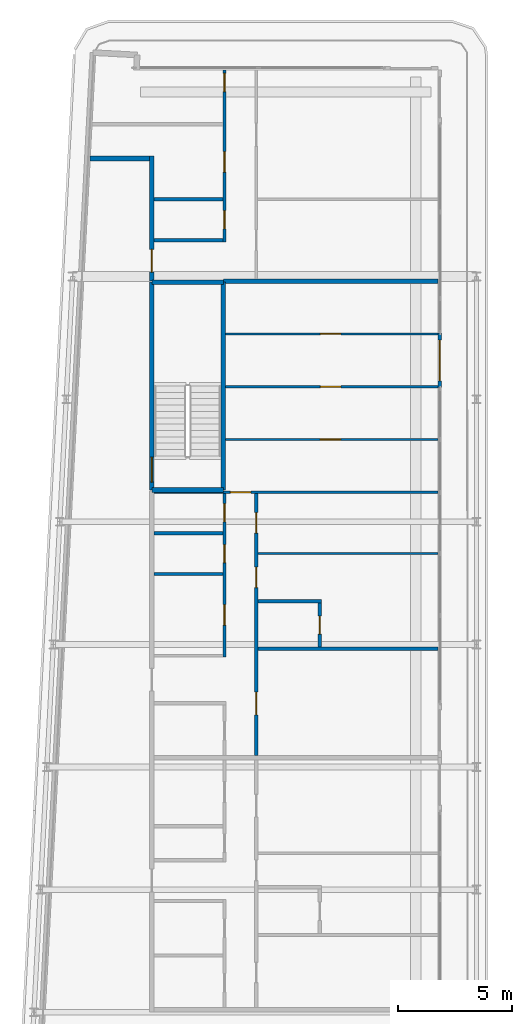
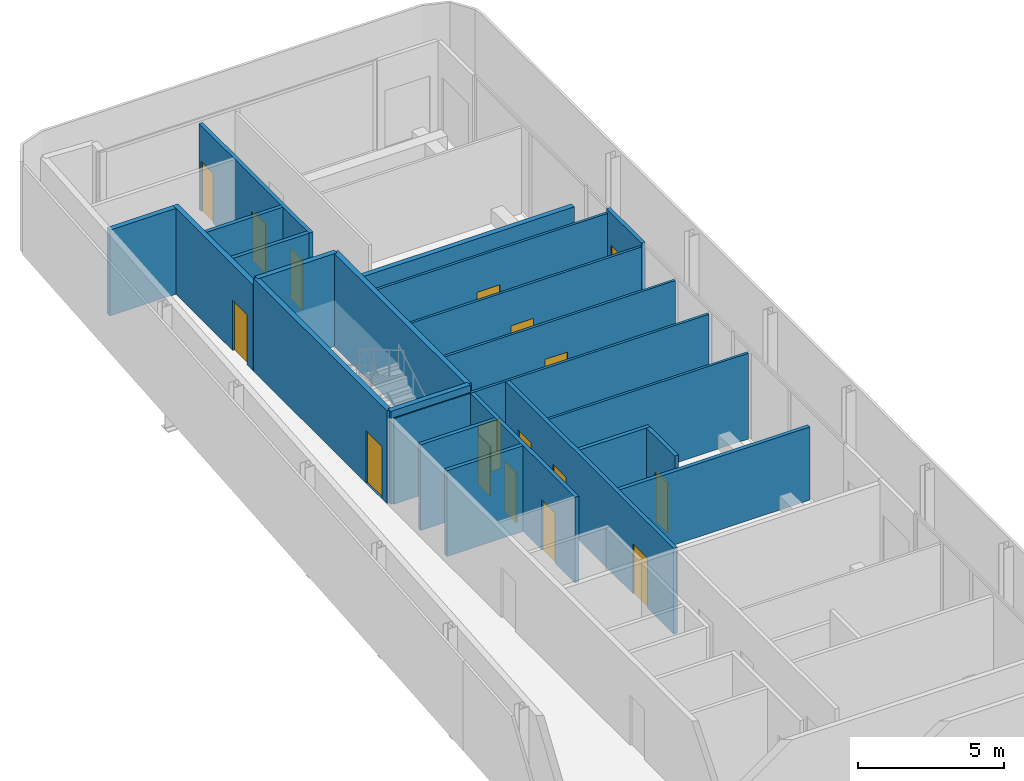
# One storey, part 11 of 18: 23 walls, 17 doors, 17 openings.
"""IFC4 building model written with IfcOpenShell, lengths in metres."""

from ifc_helpers import new_model, si_unit, direction, frame, frame_2d, origin, place, context, subcontext, project, spatial, rectangle, extrude, source, transform, mapped, material, layer, layer_set, type_object, element, fill, save


model = new_model("IFC4")

# Units and contexts
model_context = context("Model", 3, precision=1e-05, world=origin(), true_north=direction((0.0, 1.0)))
body_context = subcontext(model_context, "Body", "Model", "MODEL_VIEW")
ifc_project = project(units=[si_unit("LENGTHUNIT", "METRE"), si_unit("AREAUNIT", "SQUARE_METRE"), si_unit("VOLUMEUNIT", "CUBIC_METRE"), si_unit("PLANEANGLEUNIT", "RADIAN"), si_unit("MASSUNIT", "GRAM", prefix="KILO")], contexts=[model_context])

# Site, building, storey
site_placement = place(None, origin())
site = spatial("IfcSite", under=ifc_project, at=site_placement, CompositionType="ELEMENT")
building_placement = place(site_placement, origin())
building = spatial("IfcBuilding", under=site, at=building_placement, Name="Kheshtan School and Residences Tower", CompositionType="ELEMENT")
storey_placement = place(building_placement, frame((0.0, 0.0, 373.39990234375)))
storey = spatial("IfcBuildingStorey", under=building, at=storey_placement, Name="L88", CompositionType="ELEMENT", Elevation=373.39990234375)

# Wall
ifc_material_1 = material(Name="Gypsum board on steel studs with fire boards", Category="steel")
ifc_layer_1 = layer(ifc_material_1, 0.199951171875)
ifc_layer_set_1 = layer_set([ifc_layer_1], Name="Corridor wall 200")
wall_type_1 = type_object("IfcWallType", Name="Corridor wall 200", PredefinedType="PARTITIONING", material=ifc_layer_set_1)
wall_1_placement = place(storey_placement, frame((30.584716796875, 94.0, 0.0), z_axis=(0.0, 0.0, 1.0), x_axis=(1.0, 0.0, 0.0)))
element("IfcWall", 1, at=wall_1_placement, inside=storey, type_object=wall_type_1, Name="Partition L88-002", PredefinedType="PARTITIONING", context=body_context, shape_type="SweptSolid", body=[
    extrude(rectangle(XDim=2.615234375, YDim=0.199951171875, at=frame_2d((1.3076171875, 0.0))), origin(), (0.0, 0.0, 1.0), 3.60009765625),
])

# Wall, opening, door
wall_2_placement = place(storey_placement, frame((33.300048828125, 88.60009765625, 0.0), z_axis=(0.0, 0.0, 1.0), x_axis=(0.0, 1.0, 0.0)))
wall_2 = element("IfcWall", 2, at=wall_2_placement, inside=storey, type_object=wall_type_1, Name="Partition L88-004", PredefinedType="PARTITIONING", context=body_context, shape_type="SweptSolid", body=[
    extrude(rectangle(XDim=5.5, YDim=0.199951171875, at=frame_2d((2.75, 0.0))), origin(), (0.0, 0.0, 1.0), 3.60009765625),
])
opening_1_placement = place(wall_2_placement, frame((0.39990234375, 0.0, 0.0)))
opening_1 = element("IfcOpeningElement", 3, at=opening_1_placement, cuts=wall_2, Name="Opening D87-025", PredefinedType="OPENING", context=body_context, shape_type="SweptSolid", body=[
    extrude(rectangle(XDim=1.0, YDim=2.10009765625, at=frame_2d((0.5, 1.050048828125))), frame((0.0, 0.10986328125, 0.0), z_axis=(0.0, -1.0, 0.0), x_axis=(1.0, 0.0, 0.0)), (0.0, 0.0, 1.0), 0.219970703125),
])
ifc_material_2 = material(Name="Steel-framed fire-resisting door leaf", Category="steel")
door_type_1 = type_object("IfcDoorType", Name="Fire door FD30S 1000 x 2100", OperationType="SINGLE_SWING_LEFT", PredefinedType="DOOR", material=ifc_material_2)
shared_shape_1 = source(origin(), body_context, "Body", "SweptSolid", [
    extrude(rectangle(XDim=1.0, YDim=2.10009765625, at=frame_2d((0.5, 1.050048828125))), frame((0.0, 0.02490234375, 0.0), z_axis=(0.0, -1.0, 0.0), x_axis=(1.0, 0.0, 0.0)), (0.0, 0.0, 1.0), 0.050048828125),
])
door_1_placement = place(opening_1_placement, origin())
door_1 = element("IfcDoor", 4, at=door_1_placement, inside=storey, type_object=door_type_1, Name="Door D87-025", OperationType="SINGLE_SWING_LEFT", OverallHeight=2.10009765625, OverallWidth=1.0, PredefinedType="DOOR", context=body_context, shape_type="MappedRepresentation", body=[
    mapped(shared_shape_1, transform((0.0, 0.0, 0.0), x_axis=(1.0, 0.0, 0.0), y_axis=(0.0, 1.0, 0.0), z_axis=(0.0, 0.0, 1.0), scale=1.0)),
])
fill(opening_1, door_1)

ifc_material_3 = material(Name="Aluminium frame wall with insulated infill", Category="aluminium")
ifc_layer_2 = layer(ifc_material_3, 0.14990234375)
ifc_layer_set_2 = layer_set([ifc_layer_2], Name="Glazing frame wall 150")
wall_type_2 = type_object("IfcWallType", Name="Glazing frame wall 150", PredefinedType="SOLIDWALL", material=ifc_layer_set_2)
wall_3_placement = place(storey_placement, frame((45.97509765625, 86.305908203125, 0.0), z_axis=(0.0, 0.0, 1.0), x_axis=(0.0, -1.0, 0.0)))
wall_3 = element("IfcWall", 5, at=wall_3_placement, inside=storey, type_object=wall_type_2, Name="Balcony door wall L88 8.2", PredefinedType="SOLIDWALL", context=body_context, shape_type="SweptSolid", body=[
    extrude(rectangle(XDim=2.39990234375, YDim=0.14990234375, at=frame_2d((1.199951171875, 0.0))), origin(), (0.0, 0.0, 1.0), 3.75),
])
opening_2_placement = place(wall_3_placement, frame((0.300048828125, 0.0, 0.0)))
opening_2 = element("IfcOpeningElement", 6, at=opening_2_placement, cuts=wall_3, Name="Opening BD", PredefinedType="OPENING", context=body_context, shape_type="SweptSolid", body=[
    extrude(rectangle(XDim=1.800048828125, YDim=2.39990234375, at=frame_2d((0.89990234375, 1.199951171875))), frame((0.0, 0.0849609375, 0.0), z_axis=(0.0, -1.0, 0.0), x_axis=(1.0, 0.0, 0.0)), (0.0, 0.0, 1.0), 0.169921875),
])
ifc_material_4 = material(Name="Clear low-e glass in thermally broken aluminium frame", Category="aluminium")
door_type_2 = type_object("IfcDoorType", Name="Balcony sliding door", OperationType="SLIDING_TO_LEFT", PredefinedType="DOOR", material=ifc_material_4)
shared_shape_2 = source(origin(), body_context, "Body", "SweptSolid", [
    extrude(rectangle(XDim=1.800048828125, YDim=2.39990234375, at=frame_2d((0.89990234375, 1.199951171875))), frame((0.0, 0.02490234375, 0.0), z_axis=(0.0, -1.0, 0.0), x_axis=(1.0, 0.0, 0.0)), (0.0, 0.0, 1.0), 0.050048828125),
])
door_2_placement = place(opening_2_placement, origin())
door_2 = element("IfcDoor", 7, at=door_2_placement, inside=storey, type_object=door_type_2, Name="Balcony door L88 8.2", OperationType="SLIDING_TO_LEFT", OverallHeight=2.39990234375, OverallWidth=1.800048828125, PredefinedType="DOOR", context=body_context, shape_type="MappedRepresentation", body=[
    mapped(shared_shape_2, transform((0.0, 0.0, 0.0), x_axis=(1.0, 0.0, 0.0), y_axis=(0.0, 1.0, 0.0), z_axis=(0.0, 0.0, 1.0), scale=1.0)),
])
fill(opening_2, door_2)

ifc_material_5 = material(Name="Gypsum board on steel studs", Category="steel")
ifc_layer_3 = layer(ifc_material_5, 0.10009765625)
ifc_layer_set_3 = layer_set([ifc_layer_3], Name="Gypsum partition 100")
wall_type_3 = type_object("IfcWallType", Name="Gypsum partition 100", PredefinedType="PARTITIONING", material=ifc_layer_set_3)
wall_4_placement = place(storey_placement, frame((33.39990234375, 79.300048828125, 0.0), z_axis=(0.0, 0.0, 1.0), x_axis=(1.0, 0.0, 0.0)))
wall_4 = element("IfcWall", 8, at=wall_4_placement, inside=storey, type_object=wall_type_3, Name="Partition L88-015", PredefinedType="PARTITIONING", context=body_context, shape_type="SweptSolid", body=[
    extrude(rectangle(XDim=12.5, YDim=0.10009765625, at=frame_2d((6.25, 0.0))), origin(), (0.0, 0.0, 1.0), 3.60009765625),
])
opening_3_placement = place(wall_4_placement, frame((3.35498046875, 0.0, 0.0)))
opening_3 = element("IfcOpeningElement", 9, at=opening_3_placement, cuts=wall_4, Name="Opening D87-019", PredefinedType="OPENING", context=body_context, shape_type="SweptSolid", body=[
    extrude(rectangle(XDim=0.89990234375, YDim=2.10009765625, at=frame_2d((0.449951171875, 1.050048828125))), frame((0.0, 0.06005859375, 0.0), z_axis=(0.0, -1.0, 0.0), x_axis=(1.0, 0.0, 0.0)), (0.0, 0.0, 1.0), 0.1201171875),
])
ifc_material_6 = material(Name="Veneered timber door leaf", Category="wood")
door_type_3 = type_object("IfcDoorType", Name="Door 900 x 2100", OperationType="SINGLE_SWING_LEFT", PredefinedType="DOOR", material=ifc_material_6)
shared_shape_3 = source(origin(), body_context, "Body", "SweptSolid", [
    extrude(rectangle(XDim=0.89990234375, YDim=2.10009765625, at=frame_2d((0.449951171875, 1.050048828125))), frame((0.0, 0.02490234375, 0.0), z_axis=(0.0, -1.0, 0.0), x_axis=(1.0, 0.0, 0.0)), (0.0, 0.0, 1.0), 0.050048828125),
])
door_3_placement = place(opening_3_placement, origin())
door_3 = element("IfcDoor", 10, at=door_3_placement, inside=storey, type_object=door_type_3, Name="Door D87-019", OperationType="SINGLE_SWING_LEFT", OverallHeight=2.10009765625, OverallWidth=0.89990234375, PredefinedType="DOOR", context=body_context, shape_type="MappedRepresentation", body=[
    mapped(shared_shape_3, transform((0.0, 0.0, 0.0), x_axis=(1.0, 0.0, 0.0), y_axis=(0.0, 1.0, 0.0), z_axis=(0.0, 0.0, 1.0), scale=1.0)),
])
fill(opening_3, door_3)

wall_5_placement = place(storey_placement, frame((36.549072265625, 81.625, 0.0), z_axis=(0.0, 0.0, 1.0), x_axis=(1.0, 0.0, 0.0)))
wall_5 = element("IfcWall", 11, at=wall_5_placement, inside=storey, type_object=wall_type_3, Name="Partition L88-025", PredefinedType="PARTITIONING", context=body_context, shape_type="SweptSolid", body=[
    extrude(rectangle(XDim=9.350830078125, YDim=0.10009765625, at=frame_2d((4.67529296875, 0.0))), origin(), (0.0, 0.0, 1.0), 3.60009765625),
])
opening_4_placement = place(wall_5_placement, frame((4.176025390625, 0.0, 0.0)))
opening_4 = element("IfcOpeningElement", 12, at=opening_4_placement, cuts=wall_5, Name="Opening D87-020", PredefinedType="OPENING", context=body_context, shape_type="SweptSolid", body=[
    extrude(rectangle(XDim=0.89990234375, YDim=2.10009765625, at=frame_2d((0.449951171875, 1.050048828125))), frame((0.0, 0.06005859375, 0.0), z_axis=(0.0, -1.0, 0.0), x_axis=(1.0, 0.0, 0.0)), (0.0, 0.0, 1.0), 0.1201171875),
])
door_4_placement = place(opening_4_placement, origin())
door_4 = element("IfcDoor", 13, at=door_4_placement, inside=storey, type_object=door_type_3, Name="Door D87-020", OperationType="SINGLE_SWING_RIGHT", OverallHeight=2.10009765625, OverallWidth=0.89990234375, PredefinedType="DOOR", context=body_context, shape_type="MappedRepresentation", body=[
    mapped(shared_shape_3, transform((0.0, 0.0, 0.0), x_axis=(1.0, 0.0, 0.0), y_axis=(0.0, 1.0, 0.0), z_axis=(0.0, 0.0, 1.0), scale=1.0)),
])
fill(opening_4, door_4)

wall_6_placement = place(storey_placement, frame((36.549072265625, 83.949951171875, 0.0), z_axis=(0.0, 0.0, 1.0), x_axis=(1.0, 0.0, 0.0)))
wall_6 = element("IfcWall", 14, at=wall_6_placement, inside=storey, type_object=wall_type_3, Name="Partition L88-026", PredefinedType="PARTITIONING", context=body_context, shape_type="SweptSolid", body=[
    extrude(rectangle(XDim=9.350830078125, YDim=0.10009765625, at=frame_2d((4.67529296875, 0.0))), origin(), (0.0, 0.0, 1.0), 3.60009765625),
])
opening_5_placement = place(wall_6_placement, frame((4.176025390625, 0.0, 0.0)))
opening_5 = element("IfcOpeningElement", 15, at=opening_5_placement, cuts=wall_6, Name="Opening D87-021", PredefinedType="OPENING", context=body_context, shape_type="SweptSolid", body=[
    extrude(rectangle(XDim=0.89990234375, YDim=2.10009765625, at=frame_2d((0.449951171875, 1.050048828125))), frame((0.0, 0.06005859375, 0.0), z_axis=(0.0, -1.0, 0.0), x_axis=(1.0, 0.0, 0.0)), (0.0, 0.0, 1.0), 0.1201171875),
])
door_5_placement = place(opening_5_placement, origin())
door_5 = element("IfcDoor", 16, at=door_5_placement, inside=storey, type_object=door_type_3, Name="Door D87-021", OperationType="SINGLE_SWING_RIGHT", OverallHeight=2.10009765625, OverallWidth=0.89990234375, PredefinedType="DOOR", context=body_context, shape_type="MappedRepresentation", body=[
    mapped(shared_shape_3, transform((0.0, 0.0, 0.0), x_axis=(1.0, 0.0, 0.0), y_axis=(0.0, 1.0, 0.0), z_axis=(0.0, 0.0, 1.0), scale=1.0)),
])
fill(opening_5, door_5)

wall_7_placement = place(storey_placement, frame((36.549072265625, 86.27490234375, 0.0), z_axis=(0.0, 0.0, 1.0), x_axis=(1.0, 0.0, 0.0)))
wall_7 = element("IfcWall", 17, at=wall_7_placement, inside=storey, type_object=wall_type_3, Name="Partition L88-027", PredefinedType="PARTITIONING", context=body_context, shape_type="SweptSolid", body=[
    extrude(rectangle(XDim=9.350830078125, YDim=0.10009765625, at=frame_2d((4.67529296875, 0.0))), origin(), (0.0, 0.0, 1.0), 3.60009765625),
])
opening_6_placement = place(wall_7_placement, frame((4.176025390625, 0.0, 0.0)))
opening_6 = element("IfcOpeningElement", 18, at=opening_6_placement, cuts=wall_7, Name="Opening D87-022", PredefinedType="OPENING", context=body_context, shape_type="SweptSolid", body=[
    extrude(rectangle(XDim=0.89990234375, YDim=2.10009765625, at=frame_2d((0.449951171875, 1.050048828125))), frame((0.0, 0.06005859375, 0.0), z_axis=(0.0, -1.0, 0.0), x_axis=(1.0, 0.0, 0.0)), (0.0, 0.0, 1.0), 0.1201171875),
])
door_6_placement = place(opening_6_placement, origin())
door_6 = element("IfcDoor", 19, at=door_6_placement, inside=storey, type_object=door_type_3, Name="Door D87-022", OperationType="SINGLE_SWING_RIGHT", OverallHeight=2.10009765625, OverallWidth=0.89990234375, PredefinedType="DOOR", context=body_context, shape_type="MappedRepresentation", body=[
    mapped(shared_shape_3, transform((0.0, 0.0, 0.0), x_axis=(1.0, 0.0, 0.0), y_axis=(0.0, 1.0, 0.0), z_axis=(0.0, 0.0, 1.0), scale=1.0)),
])
fill(opening_6, door_6)

# Walls
wall_8_placement = place(storey_placement, frame((37.97509765625, 76.60009765625, 0.0), z_axis=(0.0, 0.0, 1.0), x_axis=(1.0, 0.0, 0.0)))
element("IfcWall", 20, at=wall_8_placement, inside=storey, type_object=wall_type_3, Name="Partition L88-037", PredefinedType="PARTITIONING", context=body_context, shape_type="SweptSolid", body=[
    extrude(rectangle(XDim=7.9248046875, YDim=0.10009765625, at=frame_2d((3.96240234375, 0.0))), origin(), (0.0, 0.0, 1.0), 3.60009765625),
])
ifc_material_7 = material(Name="Concrete C40/50", Category="concrete")
ifc_layer_4 = layer(ifc_material_7, 0.199951171875)
ifc_layer_set_4 = layer_set([ifc_layer_4], Name="Stair enclosure wall 200 Concrete C40/50")
wall_type_4 = type_object("IfcWallType", Name="Stair enclosure wall 200 Concrete C40/50", PredefinedType="SHEAR", material=ifc_layer_set_4)
for number, where, z_axis, x_axis, name in (
    (21, (33.300048828125, 79.39990234375, 0.0), (0.0, 0.0, 1.0), (1.0, 0.0, 0.0), "Stair enclosure wall ST3"),
    (22, (33.300048828125, 88.56005859375, 0.0), (0.0, 0.0, 1.0), (1.0, 0.0, 0.0), "Stair enclosure wall ST3"),
):
    element("IfcWall", number, at=place(storey_placement, frame(where, z_axis=z_axis, x_axis=x_axis)), inside=storey, type_object=wall_type_4, Name=name, PredefinedType="SHEAR", context=body_context, shape_type="SweptSolid", body=[
        extrude(rectangle(XDim=3.14990234375, YDim=0.199951171875, at=frame_2d((1.574951171875, 0.0))), origin(), (0.0, 0.0, 1.0), 3.900146484375),
    ])

# Wall, opening, door
wall_9_placement = place(storey_placement, frame((33.300048828125, 79.39990234375, 0.0), z_axis=(0.0, 0.0, 1.0), x_axis=(0.0, 1.0, 0.0)))
wall_9 = element("IfcWall", 23, at=wall_9_placement, inside=storey, type_object=wall_type_4, Name="Stair enclosure wall ST3", PredefinedType="SHEAR", context=body_context, shape_type="SweptSolid", body=[
    extrude(rectangle(XDim=9.16015625, YDim=0.199951171875, at=frame_2d((4.580078125, 0.0))), origin(), (0.0, 0.0, 1.0), 3.900146484375),
])
opening_7_placement = place(wall_9_placement, frame((0.35009765625, 0.0, 0.0)))
opening_7 = element("IfcOpeningElement", 24, at=opening_7_placement, cuts=wall_9, Name="Opening ST3D", PredefinedType="OPENING", context=body_context, shape_type="SweptSolid", body=[
    extrude(rectangle(XDim=1.10009765625, YDim=2.199951171875, at=frame_2d((0.550048828125, 1.10009765625))), frame((0.0, 0.10986328125, 0.0), z_axis=(0.0, -1.0, 0.0), x_axis=(1.0, 0.0, 0.0)), (0.0, 0.0, 1.0), 0.219970703125),
])
ifc_material_8 = material(Name="Steel door leaf, galvanised", Category="steel")
door_type_4 = type_object("IfcDoorType", Name="Stair door 1100 steel 90 min", OperationType="SINGLE_SWING_LEFT", PredefinedType="DOOR", material=ifc_material_8)
shared_shape_4 = source(origin(), body_context, "Body", "SweptSolid", [
    extrude(rectangle(XDim=1.10009765625, YDim=2.199951171875, at=frame_2d((0.550048828125, 1.10009765625))), frame((0.0, 0.02490234375, 0.0), z_axis=(0.0, -1.0, 0.0), x_axis=(1.0, 0.0, 0.0)), (0.0, 0.0, 1.0), 0.050048828125),
])
door_7_placement = place(opening_7_placement, origin())
door_7 = element("IfcDoor", 25, at=door_7_placement, inside=storey, type_object=door_type_4, Name="Stair ST3 door", OperationType="SINGLE_SWING_RIGHT", OverallHeight=2.199951171875, OverallWidth=1.10009765625, PredefinedType="DOOR", context=body_context, shape_type="MappedRepresentation", body=[
    mapped(shared_shape_4, transform((0.0, 0.0, 0.0), x_axis=(1.0, 0.0, 0.0), y_axis=(0.0, 1.0, 0.0), z_axis=(0.0, 0.0, 1.0), scale=1.0)),
])
fill(opening_7, door_7)

# Walls
wall_10_placement = place(storey_placement, frame((36.449951171875, 79.39990234375, 0.0), z_axis=(0.0, 0.0, 1.0), x_axis=(0.0, 1.0, 0.0)))
element("IfcWall", 26, at=wall_10_placement, inside=storey, type_object=wall_type_4, Name="Stair enclosure wall ST3", PredefinedType="SHEAR", context=body_context, shape_type="SweptSolid", body=[
    extrude(rectangle(XDim=9.16015625, YDim=0.199951171875, at=frame_2d((4.580078125, 0.0))), origin(), (0.0, 0.0, 1.0), 3.900146484375),
])
ifc_material_9 = material(Name="Twin gypsum board on steel studs with mineral wool", Category="steel")
ifc_layer_5 = layer(ifc_material_9, 0.199951171875)
ifc_layer_set_5 = layer_set([ifc_layer_5], Name="Unit demising wall 200")
wall_type_5 = type_object("IfcWallType", Name="Unit demising wall 200", PredefinedType="PARTITIONING", material=ifc_layer_set_5)
wall_11_placement = place(storey_placement, frame((36.449951171875, 88.60009765625, 0.0), z_axis=(0.0, 0.0, 1.0), x_axis=(1.0, 0.0, 0.0)))
element("IfcWall", 27, at=wall_11_placement, inside=storey, type_object=wall_type_5, Name="Partition L88-023", PredefinedType="PARTITIONING", context=body_context, shape_type="SweptSolid", body=[
    extrude(rectangle(XDim=9.449951171875, YDim=0.199951171875, at=frame_2d((4.72509765625, 0.0))), origin(), (0.0, 0.0, 1.0), 2.5),
])
ifc_material_10 = material(Name="Moisture-resistant gypsum board on steel studs", Category="steel")
ifc_layer_6 = layer(ifc_material_10, 0.14990234375)
ifc_layer_set_6 = layer_set([ifc_layer_6], Name="Wet-room partition 150")
wall_type_6 = type_object("IfcWallType", Name="Wet-room partition 150", PredefinedType="PARTITIONING", material=ifc_layer_set_6)
for number, where, z_axis, x_axis, name in (
    (28, (33.39990234375, 75.699951171875, 0.0), (0.0, 0.0, 1.0), (1.0, 0.0, 0.0), "Partition L88-013"),
    (29, (33.39990234375, 77.5, 0.0), (0.0, 0.0, 1.0), (1.0, 0.0, 0.0), "Partition L88-014"),
    (30, (33.39990234375, 90.39990234375, 0.0), (0.0, 0.0, 1.0), (1.0, 0.0, 0.0), "Partition L88-016"),
    (31, (33.39990234375, 92.199951171875, 0.0), (0.0, 0.0, 1.0), (1.0, 0.0, 0.0), "Partition L88-017"),
):
    element("IfcWall", number, at=place(storey_placement, frame(where, z_axis=z_axis, x_axis=x_axis)), inside=storey, type_object=wall_type_6, Name=name, PredefinedType="PARTITIONING", context=body_context, shape_type="SweptSolid", body=[
        extrude(rectangle(XDim=3.025146484375, YDim=0.14990234375, at=frame_2d((1.5126953125, 0.0))), origin(), (0.0, 0.0, 1.0), 3.60009765625),
    ])

# Wall, openings, doors
wall_12_placement = place(storey_placement, frame((36.5, 72.050048828125, 0.0), z_axis=(0.0, 0.0, 1.0), x_axis=(0.0, 1.0, 0.0)))
wall_12 = element("IfcWall", 32, at=wall_12_placement, inside=storey, type_object=wall_type_6, Name="Partition L88-022", PredefinedType="PARTITIONING", context=body_context, shape_type="SweptSolid", body=[
    extrude(rectangle(XDim=7.199951171875, YDim=0.14990234375, at=frame_2d((3.60009765625, 0.0))), origin(), (0.0, 0.0, 1.0), 3.60009765625),
])
opening_8_placement = place(wall_12_placement, frame((1.39990234375, 0.0, 0.0)))
opening_8 = element("IfcOpeningElement", 33, at=opening_8_placement, cuts=wall_12, Name="Opening D87-014", PredefinedType="OPENING", context=body_context, shape_type="SweptSolid", body=[
    extrude(rectangle(XDim=0.89990234375, YDim=2.10009765625, at=frame_2d((0.449951171875, 1.050048828125))), frame((0.0, 0.0849609375, 0.0), z_axis=(0.0, -1.0, 0.0), x_axis=(1.0, 0.0, 0.0)), (0.0, 0.0, 1.0), 0.169921875),
])
opening_9_placement = place(wall_12_placement, frame((5.949951171875, 0.0, 0.0)))
opening_9 = element("IfcOpeningElement", 34, at=opening_9_placement, cuts=wall_12, Name="Opening D87-017", PredefinedType="OPENING", context=body_context, shape_type="SweptSolid", body=[
    extrude(rectangle(XDim=0.800048828125, YDim=2.10009765625, at=frame_2d((0.39990234375, 1.050048828125))), frame((0.0, 0.0849609375, 0.0), z_axis=(0.0, -1.0, 0.0), x_axis=(1.0, 0.0, 0.0)), (0.0, 0.0, 1.0), 0.169921875),
])
opening_10_placement = place(wall_12_placement, frame((4.14990234375, 0.0, 0.0)))
opening_10 = element("IfcOpeningElement", 35, at=opening_10_placement, cuts=wall_12, Name="Opening D87-018", PredefinedType="OPENING", context=body_context, shape_type="SweptSolid", body=[
    extrude(rectangle(XDim=0.800048828125, YDim=2.10009765625, at=frame_2d((0.39990234375, 1.050048828125))), frame((0.0, 0.0849609375, 0.0), z_axis=(0.0, -1.0, 0.0), x_axis=(1.0, 0.0, 0.0)), (0.0, 0.0, 1.0), 0.169921875),
])
door_type_5 = type_object("IfcDoorType", Name="Door 800 x 2100", OperationType="SINGLE_SWING_LEFT", PredefinedType="DOOR", material=ifc_material_6)
shared_shape_5 = source(origin(), body_context, "Body", "SweptSolid", [
    extrude(rectangle(XDim=0.800048828125, YDim=2.10009765625, at=frame_2d((0.39990234375, 1.050048828125))), frame((0.0, 0.02490234375, 0.0), z_axis=(0.0, -1.0, 0.0), x_axis=(1.0, 0.0, 0.0)), (0.0, 0.0, 1.0), 0.050048828125),
])
door_8_placement = place(opening_9_placement, origin())
door_8 = element("IfcDoor", 36, at=door_8_placement, inside=storey, type_object=door_type_5, Name="Door D87-017", OperationType="SINGLE_SWING_RIGHT", OverallHeight=2.10009765625, OverallWidth=0.800048828125, PredefinedType="DOOR", context=body_context, shape_type="MappedRepresentation", body=[
    mapped(shared_shape_5, transform((0.0, 0.0, 0.0), x_axis=(1.0, 0.0, 0.0), y_axis=(0.0, 1.0, 0.0), z_axis=(0.0, 0.0, 1.0), scale=1.0)),
])
fill(opening_9, door_8)
door_9_placement = place(opening_10_placement, origin())
door_9 = element("IfcDoor", 37, at=door_9_placement, inside=storey, type_object=door_type_5, Name="Door D87-018", OperationType="SINGLE_SWING_RIGHT", OverallHeight=2.10009765625, OverallWidth=0.800048828125, PredefinedType="DOOR", context=body_context, shape_type="MappedRepresentation", body=[
    mapped(shared_shape_5, transform((0.0, 0.0, 0.0), x_axis=(1.0, 0.0, 0.0), y_axis=(0.0, 1.0, 0.0), z_axis=(0.0, 0.0, 1.0), scale=1.0)),
])
fill(opening_10, door_9)
door_10_placement = place(opening_8_placement, origin())
door_10 = element("IfcDoor", 38, at=door_10_placement, inside=storey, type_object=door_type_3, Name="Door D87-014", OperationType="SINGLE_SWING_RIGHT", OverallHeight=2.10009765625, OverallWidth=0.89990234375, PredefinedType="DOOR", context=body_context, shape_type="MappedRepresentation", body=[
    mapped(shared_shape_3, transform((0.0, 0.0, 0.0), x_axis=(1.0, 0.0, 0.0), y_axis=(0.0, 1.0, 0.0), z_axis=(0.0, 0.0, 1.0), scale=1.0)),
])
fill(opening_8, door_10)

wall_13_placement = place(storey_placement, frame((36.5, 90.324951171875, 0.0), z_axis=(0.0, 0.0, 1.0), x_axis=(0.0, 1.0, 0.0)))
wall_13 = element("IfcWall", 39, at=wall_13_placement, inside=storey, type_object=wall_type_6, Name="Partition L88-024", PredefinedType="PARTITIONING", context=body_context, shape_type="SweptSolid", body=[
    extrude(rectangle(XDim=7.574951171875, YDim=0.14990234375, at=frame_2d((3.78759765625, 0.0))), origin(), (0.0, 0.0, 1.0), 3.60009765625),
])
opening_11_placement = place(wall_13_placement, frame((6.625, 0.0, 0.0)))
opening_11 = element("IfcOpeningElement", 40, at=opening_11_placement, cuts=wall_13, Name="Opening D87-023", PredefinedType="OPENING", context=body_context, shape_type="SweptSolid", body=[
    extrude(rectangle(XDim=0.800048828125, YDim=2.10009765625, at=frame_2d((0.39990234375, 1.050048828125))), frame((0.0, 0.0849609375, 0.0), z_axis=(0.0, -1.0, 0.0), x_axis=(1.0, 0.0, 0.0)), (0.0, 0.0, 1.0), 0.169921875),
])
opening_12_placement = place(wall_13_placement, frame((3.074951171875, 0.0, 0.0)))
opening_12 = element("IfcOpeningElement", 41, at=opening_12_placement, cuts=wall_13, Name="Opening D87-026", PredefinedType="OPENING", context=body_context, shape_type="SweptSolid", body=[
    extrude(rectangle(XDim=0.89990234375, YDim=2.10009765625, at=frame_2d((0.449951171875, 1.050048828125))), frame((0.0, 0.0849609375, 0.0), z_axis=(0.0, -1.0, 0.0), x_axis=(1.0, 0.0, 0.0)), (0.0, 0.0, 1.0), 0.169921875),
])
opening_13_placement = place(wall_13_placement, frame((0.574951171875, 0.0, 0.0)))
opening_13 = element("IfcOpeningElement", 42, at=opening_13_placement, cuts=wall_13, Name="Opening D87-028", PredefinedType="OPENING", context=body_context, shape_type="SweptSolid", body=[
    extrude(rectangle(XDim=0.800048828125, YDim=2.10009765625, at=frame_2d((0.39990234375, 1.050048828125))), frame((0.0, 0.0849609375, 0.0), z_axis=(0.0, -1.0, 0.0), x_axis=(1.0, 0.0, 0.0)), (0.0, 0.0, 1.0), 0.169921875),
])
door_11_placement = place(opening_11_placement, origin())
door_11 = element("IfcDoor", 43, at=door_11_placement, inside=storey, type_object=door_type_5, Name="Door D87-023", OperationType="SINGLE_SWING_LEFT", OverallHeight=2.10009765625, OverallWidth=0.800048828125, PredefinedType="DOOR", context=body_context, shape_type="MappedRepresentation", body=[
    mapped(shared_shape_5, transform((0.0, 0.0, 0.0), x_axis=(1.0, 0.0, 0.0), y_axis=(0.0, 1.0, 0.0), z_axis=(0.0, 0.0, 1.0), scale=1.0)),
])
fill(opening_11, door_11)
door_12_placement = place(opening_13_placement, origin())
door_12 = element("IfcDoor", 44, at=door_12_placement, inside=storey, type_object=door_type_5, Name="Door D87-028", OperationType="SINGLE_SWING_RIGHT", OverallHeight=2.10009765625, OverallWidth=0.800048828125, PredefinedType="DOOR", context=body_context, shape_type="MappedRepresentation", body=[
    mapped(shared_shape_5, transform((0.0, 0.0, 0.0), x_axis=(1.0, 0.0, 0.0), y_axis=(0.0, 1.0, 0.0), z_axis=(0.0, 0.0, 1.0), scale=1.0)),
])
fill(opening_13, door_12)
door_13_placement = place(opening_12_placement, origin())
door_13 = element("IfcDoor", 45, at=door_13_placement, inside=storey, type_object=door_type_3, Name="Door D87-026", OperationType="SINGLE_SWING_LEFT", OverallHeight=2.10009765625, OverallWidth=0.89990234375, PredefinedType="DOOR", context=body_context, shape_type="MappedRepresentation", body=[
    mapped(shared_shape_3, transform((0.0, 0.0, 0.0), x_axis=(1.0, 0.0, 0.0), y_axis=(0.0, 1.0, 0.0), z_axis=(0.0, 0.0, 1.0), scale=1.0)),
])
fill(opening_12, door_13)

wall_14_placement = place(storey_placement, frame((37.89990234375, 67.699951171875, 0.0), z_axis=(0.0, 0.0, 1.0), x_axis=(0.0, 1.0, 0.0)))
wall_14 = element("IfcWall", 46, at=wall_14_placement, inside=storey, type_object=wall_type_6, Name="Partition L88-029", PredefinedType="PARTITIONING", context=body_context, shape_type="SweptSolid", body=[
    extrude(rectangle(XDim=11.550048828125, YDim=0.14990234375, at=frame_2d((5.77490234375, 0.0))), origin(), (0.0, 0.0, 1.0), 3.60009765625),
])
opening_14_placement = place(wall_14_placement, frame((9.800048828125, 0.0, 0.0)))
opening_14 = element("IfcOpeningElement", 47, at=opening_14_placement, cuts=wall_14, Name="Opening D87-011", PredefinedType="OPENING", context=body_context, shape_type="SweptSolid", body=[
    extrude(rectangle(XDim=0.89990234375, YDim=2.10009765625, at=frame_2d((0.449951171875, 1.050048828125))), frame((0.0, 0.0849609375, 0.0), z_axis=(0.0, -1.0, 0.0), x_axis=(1.0, 0.0, 0.0)), (0.0, 0.0, 1.0), 0.169921875),
])
opening_15_placement = place(wall_14_placement, frame((1.800048828125, 0.0, 0.0)))
opening_15 = element("IfcOpeningElement", 48, at=opening_15_placement, cuts=wall_14, Name="Opening D87-015", PredefinedType="OPENING", context=body_context, shape_type="SweptSolid", body=[
    extrude(rectangle(XDim=1.0, YDim=2.10009765625, at=frame_2d((0.5, 1.050048828125))), frame((0.0, 0.0849609375, 0.0), z_axis=(0.0, -1.0, 0.0), x_axis=(1.0, 0.0, 0.0)), (0.0, 0.0, 1.0), 0.169921875),
])
opening_16_placement = place(wall_14_placement, frame((7.39990234375, 0.0, 0.0)))
opening_16 = element("IfcOpeningElement", 49, at=opening_16_placement, cuts=wall_14, Name="Opening D87-016", PredefinedType="OPENING", context=body_context, shape_type="SweptSolid", body=[
    extrude(rectangle(XDim=0.89990234375, YDim=2.10009765625, at=frame_2d((0.449951171875, 1.050048828125))), frame((0.0, 0.0849609375, 0.0), z_axis=(0.0, -1.0, 0.0), x_axis=(1.0, 0.0, 0.0)), (0.0, 0.0, 1.0), 0.169921875),
])
door_type_6 = type_object("IfcDoorType", Name="Door 1000 x 2100", OperationType="SINGLE_SWING_LEFT", PredefinedType="DOOR", material=ifc_material_6)
shared_shape_6 = source(origin(), body_context, "Body", "SweptSolid", [
    extrude(rectangle(XDim=1.0, YDim=2.10009765625, at=frame_2d((0.5, 1.050048828125))), frame((0.0, 0.02490234375, 0.0), z_axis=(0.0, -1.0, 0.0), x_axis=(1.0, 0.0, 0.0)), (0.0, 0.0, 1.0), 0.050048828125),
])
door_14_placement = place(opening_15_placement, origin())
door_14 = element("IfcDoor", 50, at=door_14_placement, inside=storey, type_object=door_type_6, Name="Door D87-015", OperationType="SINGLE_SWING_RIGHT", OverallHeight=2.10009765625, OverallWidth=1.0, PredefinedType="DOOR", context=body_context, shape_type="MappedRepresentation", body=[
    mapped(shared_shape_6, transform((0.0, 0.0, 0.0), x_axis=(1.0, 0.0, 0.0), y_axis=(0.0, 1.0, 0.0), z_axis=(0.0, 0.0, 1.0), scale=1.0)),
])
fill(opening_15, door_14)
door_15_placement = place(opening_14_placement, origin())
door_15 = element("IfcDoor", 51, at=door_15_placement, inside=storey, type_object=door_type_3, Name="Door D87-011", OperationType="SINGLE_SWING_LEFT", OverallHeight=2.10009765625, OverallWidth=0.89990234375, PredefinedType="DOOR", context=body_context, shape_type="MappedRepresentation", body=[
    mapped(shared_shape_3, transform((0.0, 0.0, 0.0), x_axis=(1.0, 0.0, 0.0), y_axis=(0.0, 1.0, 0.0), z_axis=(0.0, 0.0, 1.0), scale=1.0)),
])
fill(opening_14, door_15)
door_16_placement = place(opening_16_placement, origin())
door_16 = element("IfcDoor", 52, at=door_16_placement, inside=storey, type_object=door_type_3, Name="Door D87-016", OperationType="SINGLE_SWING_RIGHT", OverallHeight=2.10009765625, OverallWidth=0.89990234375, PredefinedType="DOOR", context=body_context, shape_type="MappedRepresentation", body=[
    mapped(shared_shape_3, transform((0.0, 0.0, 0.0), x_axis=(1.0, 0.0, 0.0), y_axis=(0.0, 1.0, 0.0), z_axis=(0.0, 0.0, 1.0), scale=1.0)),
])
fill(opening_16, door_16)

# Walls
wall_15_placement = place(storey_placement, frame((37.97509765625, 72.39990234375, 0.0), z_axis=(0.0, 0.0, 1.0), x_axis=(1.0, 0.0, 0.0)))
element("IfcWall", 53, at=wall_15_placement, inside=storey, type_object=wall_type_6, Name="Partition L88-035", PredefinedType="PARTITIONING", context=body_context, shape_type="SweptSolid", body=[
    extrude(rectangle(XDim=7.9248046875, YDim=0.14990234375, at=frame_2d((3.96240234375, 0.0))), origin(), (0.0, 0.0, 1.0), 3.072021484375),
])
wall_16_placement = place(storey_placement, frame((37.97509765625, 74.5, 0.0), z_axis=(0.0, 0.0, 1.0), x_axis=(1.0, 0.0, 0.0)))
element("IfcWall", 54, at=wall_16_placement, inside=storey, type_object=wall_type_6, Name="Partition L88-036", PredefinedType="PARTITIONING", context=body_context, shape_type="SweptSolid", body=[
    extrude(rectangle(XDim=2.7998046875, YDim=0.14990234375, at=frame_2d((1.39990234375, 0.0))), origin(), (0.0, 0.0, 1.0), 3.60009765625),
])

# Wall, opening, door
wall_17_placement = place(storey_placement, frame((40.699951171875, 72.47509765625, 0.0), z_axis=(0.0, 0.0, 1.0), x_axis=(0.0, 1.0, 0.0)))
wall_17 = element("IfcWall", 55, at=wall_17_placement, inside=storey, type_object=wall_type_6, Name="Partition L88-040", PredefinedType="PARTITIONING", context=body_context, shape_type="SweptSolid", body=[
    extrude(rectangle(XDim=1.949951171875, YDim=0.14990234375, at=frame_2d((0.97509765625, 0.0))), origin(), (0.0, 0.0, 1.0), 3.60009765625),
])
opening_17_placement = place(wall_17_placement, frame((0.574951171875, 0.0, 0.0)))
opening_17 = element("IfcOpeningElement", 56, at=opening_17_placement, cuts=wall_17, Name="Opening D87-012", PredefinedType="OPENING", context=body_context, shape_type="SweptSolid", body=[
    extrude(rectangle(XDim=0.800048828125, YDim=2.10009765625, at=frame_2d((0.39990234375, 1.050048828125))), frame((0.0, 0.0849609375, 0.0), z_axis=(0.0, -1.0, 0.0), x_axis=(1.0, 0.0, 0.0)), (0.0, 0.0, 1.0), 0.169921875),
])
door_17_placement = place(opening_17_placement, origin())
door_17 = element("IfcDoor", 57, at=door_17_placement, inside=storey, type_object=door_type_5, Name="Door D87-012", OperationType="SINGLE_SWING_RIGHT", OverallHeight=2.10009765625, OverallWidth=0.800048828125, PredefinedType="DOOR", context=body_context, shape_type="MappedRepresentation", body=[
    mapped(shared_shape_5, transform((0.0, 0.0, 0.0), x_axis=(1.0, 0.0, 0.0), y_axis=(0.0, 1.0, 0.0), z_axis=(0.0, 0.0, 1.0), scale=1.0)),
])
fill(opening_17, door_17)

save(model, "model.ifc")
